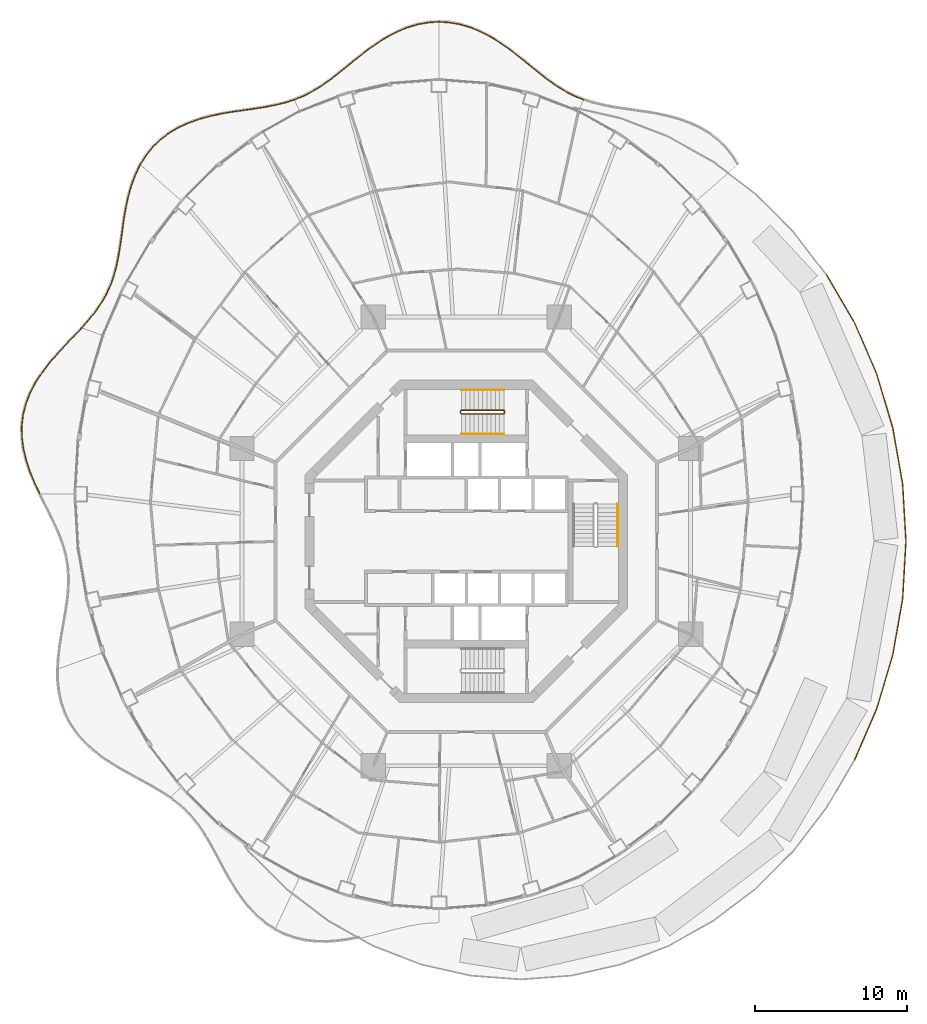
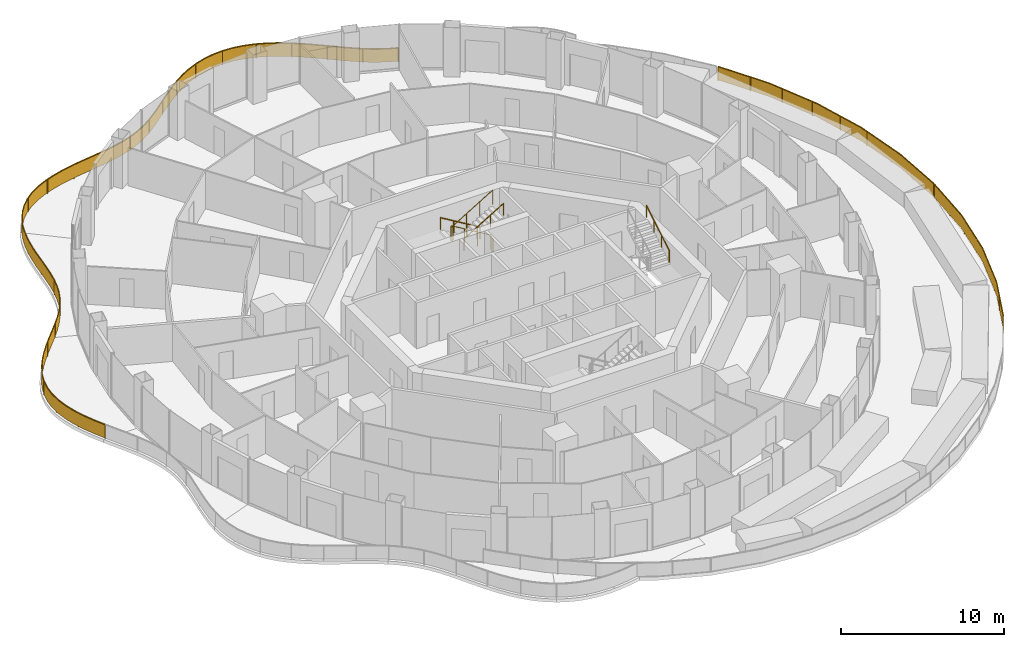
# One storey, part 17 of 18: 11 railings.
"""IFC4 building model written with IfcOpenShell, lengths in metres."""

from ifc_helpers import new_model, si_unit, direction, frame, origin, origin_2d, place, context, subcontext, project, spatial, polyline, rectangle, circle, outline, extrude, material, type_object, element, save


model = new_model("IFC4")

# Units and contexts
model_context = context("Model", 3, precision=1e-05, world=origin(), true_north=direction((0.0, 1.0)))
body_context = subcontext(model_context, "Body", "Model", "MODEL_VIEW")
ifc_project = project(units=[si_unit("LENGTHUNIT", "METRE"), si_unit("AREAUNIT", "SQUARE_METRE"), si_unit("VOLUMEUNIT", "CUBIC_METRE"), si_unit("PLANEANGLEUNIT", "RADIAN"), si_unit("MASSUNIT", "GRAM", prefix="KILO")], contexts=[model_context])

# Site, building, storey
site_placement = place(None, origin())
site = spatial("IfcSite", under=ifc_project, at=site_placement, CompositionType="ELEMENT")
building_placement = place(site_placement, origin())
building = spatial("IfcBuilding", under=site, at=building_placement, Name="Nagisa Residences", CompositionType="ELEMENT")
storey_placement = place(building_placement, frame((0.0, 0.0, 212.199951171875)))
storey = spatial("IfcBuildingStorey", under=building, at=storey_placement, Name="L53", CompositionType="ELEMENT", Elevation=212.199951171875)

# Railings
ifc_material_1 = material(Name="Stainless steel 316", Category="steel")
railing_type_1 = type_object("IfcRailingType", Name="BALCONY GUARD 1100", PredefinedType="BALUSTRADE", material=ifc_material_1)
railing_1_placement = place(storey_placement, frame((7.7333984375, 29.106201171875, 0.0)))
element("IfcRailing", 1, at=railing_1_placement, inside=storey, type_object=railing_type_1, Name="guard:L53:bal03-0", PredefinedType="BALUSTRADE", context=body_context, shape_type="SweptSolid", body=[
    extrude(outline(polyline([(-0.5751953125, 0.20703125), (-0.009521484375, -0.023193359375), (0.009521484375, 0.023193359375), (-0.5546875, 0.25244140625), (-1.10693359375, 0.529052734375), (-1.645751953125, 0.849609375), (-2.1767578125, 1.21240234375), (-2.70654296875, 1.611083984375), (-3.224853515625, 2.032958984375), (-3.77099609375, 2.477783203125), (-4.3330078125, 2.92822265625), (-4.9150390625, 3.370849609375), (-5.51904296875, 3.791748046875), (-6.13037109375, 4.174072265625), (-6.77978515625, 4.510009765625), (-7.450439453125, 4.78515625), (-8.1376953125, 4.989013671875), (-8.8369140625, 5.114501953125), (-9.531982421875, 5.156494140625), (-9.534912109375, 5.106689453125), (-8.8427734375, 5.064697265625), (-8.1494140625, 4.940185546875), (-7.467041015625, 4.73779296875), (-6.80078125, 4.464599609375), (-6.1552734375, 4.130615234375), (-5.546875, 3.749755859375), (-4.9443359375, 3.330322265625), (-4.36376953125, 2.888671875), (-3.80224609375, 2.438720703125), (-3.256591796875, 1.994384765625), (-2.7373046875, 1.571533203125), (-2.2060546875, 1.171875), (-1.672607421875, 0.8076171875), (-1.130859375, 0.485107421875), (-0.5751953125, 0.20703125)])), frame((0.0, 0.0, 1.050048828125)), (0.0, 0.0, 1.0), 0.050048828125),
    extrude(outline(polyline([(-0.56787109375, 0.223388671875), (-0.002685546875, -0.006591796875), (0.002685546875, 0.006591796875), (-0.56201171875, 0.236083984375), (-1.115478515625, 0.51318359375), (-1.655517578125, 0.83447265625), (-2.187255859375, 1.19775390625), (-2.717529296875, 1.596923828125), (-3.236328125, 2.01904296875), (-3.7822265625, 2.463623046875), (-4.343994140625, 2.9140625), (-4.925537109375, 3.356201171875), (-5.529052734375, 3.776611328125), (-6.139404296875, 4.158447265625), (-6.787353515625, 4.49365234375), (-7.456298828125, 4.76806640625), (-8.141845703125, 4.971435546875), (-8.839111328125, 5.0966796875), (-9.532958984375, 5.138671875), (-9.533935546875, 5.12451171875), (-8.840576171875, 5.08251953125), (-8.145263671875, 4.957763671875), (-7.461181640625, 4.7548828125), (-6.793212890625, 4.48095703125), (-6.146240234375, 4.146240234375), (-5.536865234375, 3.764892578125), (-4.933837890625, 3.344970703125), (-4.352783203125, 2.90283203125), (-3.791015625, 2.452880859375), (-3.2451171875, 2.00830078125), (-2.726318359375, 1.585693359375), (-2.195556640625, 1.1865234375), (-1.662841796875, 0.82275390625), (-1.122314453125, 0.5009765625), (-0.56787109375, 0.223388671875)])), frame((0.0, 0.0, 0.06005859375)), (0.0, 0.0, 1.0), 0.989990234375),
    extrude(rectangle(XDim=0.0400390625, YDim=0.0400390625, at=origin_2d()), origin(), (0.0, 0.0, 1.0), 1.050048828125),
    extrude(rectangle(XDim=0.0400390625, YDim=0.0400390625, at=origin_2d()), frame((-1.943603515625, 1.02294921875, 0.0)), (0.0, 0.0, 1.0), 1.050048828125),
    extrude(rectangle(XDim=0.0400390625, YDim=0.0400390625, at=origin_2d()), frame((-3.682373046875, 2.373291015625, 0.0)), (0.0, 0.0, 1.0), 1.050048828125),
    extrude(rectangle(XDim=0.0400390625, YDim=0.0400390625, at=origin_2d()), frame((-5.4365234375, 3.70361328125, 0.0)), (0.0, 0.0, 1.0), 1.050048828125),
    extrude(rectangle(XDim=0.0400390625, YDim=0.0400390625, at=origin_2d()), frame((-7.37939453125, 4.728759765625, 0.0)), (0.0, 0.0, 1.0), 1.050048828125),
    extrude(rectangle(XDim=0.0400390625, YDim=0.0400390625, at=origin_2d()), frame((-9.533447265625, 5.131591796875, 0.0)), (0.0, 0.0, 1.0), 1.050048828125),
])
railing_2_placement = place(storey_placement, frame((-1.800048828125, 34.23779296875, 0.0)))
element("IfcRailing", 2, at=railing_2_placement, inside=storey, type_object=railing_type_1, Name="guard:L53:bal04-0", PredefinedType="BALUSTRADE", context=body_context, shape_type="SweptSolid", body=[
    extrude(outline(polyline([(-0.6904296875, -0.06689453125), (0.00146484375, -0.02490234375), (-0.00146484375, 0.02490234375), (-0.6962890625, -0.01708984375), (-1.395751953125, -0.142578125), (-2.0830078125, -0.346435546875), (-2.753662109375, -0.62158203125), (-3.403076171875, -0.95751953125), (-4.014404296875, -1.33984375), (-4.618408203125, -1.7607421875), (-5.200439453125, -2.203369140625), (-5.762451171875, -2.65380859375), (-6.30859375, -3.0986328125), (-6.82666015625, -3.5205078125), (-7.356689453125, -3.919189453125), (-7.8876953125, -4.281982421875), (-8.42626953125, -4.6025390625), (-8.978759765625, -4.879150390625), (-9.54296875, -5.1083984375), (-9.52392578125, -5.15478515625), (-8.958251953125, -4.924560546875), (-8.40234375, -4.646484375), (-7.86083984375, -4.323974609375), (-7.327392578125, -3.959716796875), (-6.7958984375, -3.56005859375), (-6.27685546875, -3.13720703125), (-5.731201171875, -2.69287109375), (-5.169677734375, -2.242919921875), (-4.589111328125, -1.80126953125), (-3.986572265625, -1.3818359375), (-3.378173828125, -1.0009765625), (-2.732666015625, -0.6669921875), (-2.06640625, -0.393798828125), (-1.384033203125, -0.19140625), (-0.6904296875, -0.06689453125)])), frame((0.0, 0.0, 1.050048828125)), (0.0, 0.0, 1.0), 0.050048828125),
    extrude(outline(polyline([(-0.692626953125, -0.049072265625), (0.00048828125, -0.007080078125), (-0.00048828125, 0.007080078125), (-0.694091796875, -0.034912109375), (-1.3916015625, -0.16015625), (-2.0771484375, -0.363525390625), (-2.74609375, -0.637939453125), (-3.39404296875, -0.97314453125), (-4.00439453125, -1.35498046875), (-4.60791015625, -1.775390625), (-5.189453125, -2.217529296875), (-5.751220703125, -2.66796875), (-6.297119140625, -3.112548828125), (-6.815673828125, -3.53466796875), (-7.34619140625, -3.933837890625), (-7.8779296875, -4.297119140625), (-8.417724609375, -4.618408203125), (-8.971435546875, -4.8955078125), (-9.5361328125, -5.125), (-9.53076171875, -5.13818359375), (-8.965576171875, -4.908203125), (-8.410888671875, -4.630615234375), (-7.87060546875, -4.308837890625), (-7.337890625, -3.945068359375), (-6.806884765625, -3.5458984375), (-6.288330078125, -3.123291015625), (-5.742431640625, -2.6787109375), (-5.1806640625, -2.228759765625), (-4.599609375, -1.78662109375), (-3.99658203125, -1.36669921875), (-3.38720703125, -0.9853515625), (-2.740234375, -0.650634765625), (-2.072265625, -0.376708984375), (-1.38818359375, -0.173828125), (-0.692626953125, -0.049072265625)])), frame((0.0, 0.0, 0.06005859375)), (0.0, 0.0, 1.0), 0.989990234375),
    extrude(rectangle(XDim=0.0400390625, YDim=0.0400390625, at=origin_2d()), origin(), (0.0, 0.0, 1.0), 1.050048828125),
    extrude(rectangle(XDim=0.0400390625, YDim=0.0400390625, at=origin_2d()), frame((-2.154296875, -0.40283203125, 0.0)), (0.0, 0.0, 1.0), 1.050048828125),
    extrude(rectangle(XDim=0.0400390625, YDim=0.0400390625, at=origin_2d()), frame((-4.096923828125, -1.427978515625, 0.0)), (0.0, 0.0, 1.0), 1.050048828125),
    extrude(rectangle(XDim=0.0400390625, YDim=0.0400390625, at=origin_2d()), frame((-5.85107421875, -2.75830078125, 0.0)), (0.0, 0.0, 1.0), 1.050048828125),
    extrude(rectangle(XDim=0.0400390625, YDim=0.0400390625, at=origin_2d()), frame((-7.58984375, -4.108642578125, 0.0)), (0.0, 0.0, 1.0), 1.050048828125),
    extrude(rectangle(XDim=0.0400390625, YDim=0.0400390625, at=origin_2d()), frame((-9.533447265625, -5.131591796875, 0.0)), (0.0, 0.0, 1.0), 1.050048828125),
])
railing_3_placement = place(storey_placement, frame((-11.33349609375, 29.106201171875, 0.0)))
element("IfcRailing", 3, at=railing_3_placement, inside=storey, type_object=railing_type_1, Name="guard:L53:bal05-0", PredefinedType="BALUSTRADE", context=body_context, shape_type="SweptSolid", body=[
    extrude(outline(polyline([(-0.603759765625, -0.21826171875), (0.007568359375, -0.02392578125), (-0.007568359375, 0.02392578125), (-0.617431640625, -0.169921875), (-1.26123046875, -0.3291015625), (-1.932861328125, -0.458251953125), (-2.6298828125, -0.568603515625), (-3.348876953125, -0.671875), (-4.0693359375, -0.771484375), (-4.811279296875, -0.898681640625), (-5.551025390625, -1.056640625), (-6.278076171875, -1.256591796875), (-6.981201171875, -1.507080078125), (-7.63818359375, -1.8046875), (-8.26318359375, -2.175048828125), (-8.83544921875, -2.609375), (-9.34814453125, -3.106201171875), (-9.796875, -3.662109375), (-10.174072265625, -4.2646484375), (-10.131591796875, -4.291015625), (-9.755859375, -3.69140625), (-9.31103515625, -3.139892578125), (-8.802734375, -2.6474609375), (-8.2353515625, -2.216552734375), (-7.615234375, -1.84912109375), (-6.962646484375, -1.553466796875), (-6.262939453125, -1.304443359375), (-5.539306640625, -1.10546875), (-4.802001953125, -0.947998046875), (-4.0615234375, -0.82080078125), (-3.342041015625, -0.72119140625), (-2.62255859375, -0.617919921875), (-1.924072265625, -0.507568359375), (-1.25048828125, -0.3779296875), (-0.603759765625, -0.21826171875)])), frame((0.0, 0.0, 1.050048828125)), (0.0, 0.0, 1.0), 0.050048828125),
    extrude(outline(polyline([(-0.608642578125, -0.200927734375), (0.002197265625, -0.006591796875), (-0.002197265625, 0.006591796875), (-0.612548828125, -0.187255859375), (-1.25732421875, -0.3466796875), (-1.9296875, -0.47607421875), (-2.627197265625, -0.58642578125), (-3.346435546875, -0.689697265625), (-4.06640625, -0.789306640625), (-4.807861328125, -0.91650390625), (-5.546875, -1.07421875), (-6.272705078125, -1.27392578125), (-6.974609375, -1.523681640625), (-7.6298828125, -1.82080078125), (-8.253173828125, -2.18994140625), (-8.82373046875, -2.623046875), (-9.334716796875, -3.118408203125), (-9.781982421875, -3.672607421875), (-10.15869140625, -4.274169921875), (-10.14697265625, -4.281494140625), (-9.770751953125, -3.680908203125), (-9.324462890625, -3.127685546875), (-8.814453125, -2.6337890625), (-8.245361328125, -2.20166015625), (-7.62353515625, -1.8330078125), (-6.96923828125, -1.536865234375), (-6.268310546875, -1.287109375), (-5.54345703125, -1.087890625), (-4.805419921875, -0.93017578125), (-4.064453125, -0.802978515625), (-3.344482421875, -0.703369140625), (-2.625244140625, -0.60009765625), (-1.92724609375, -0.48974609375), (-1.25439453125, -0.3603515625), (-0.608642578125, -0.200927734375)])), frame((0.0, 0.0, 0.06005859375)), (0.0, 0.0, 1.0), 0.989990234375),
    extrude(rectangle(XDim=0.0400390625, YDim=0.0400390625, at=origin_2d()), origin(), (0.0, 0.0, 1.0), 1.050048828125),
    extrude(rectangle(XDim=0.0400390625, YDim=0.0400390625, at=origin_2d()), frame((-2.22314453125, -0.529541015625, 0.0)), (0.0, 0.0, 1.0), 1.050048828125),
    extrude(rectangle(XDim=0.0400390625, YDim=0.0400390625, at=origin_2d()), frame((-4.486572265625, -0.868408203125, 0.0)), (0.0, 0.0, 1.0), 1.050048828125),
    extrude(rectangle(XDim=0.0400390625, YDim=0.0400390625, at=origin_2d()), frame((-6.70068359375, -1.43359375, 0.0)), (0.0, 0.0, 1.0), 1.050048828125),
    extrude(rectangle(XDim=0.0400390625, YDim=0.0400390625, at=origin_2d()), frame((-8.69384765625, -2.533447265625, 0.0)), (0.0, 0.0, 1.0), 1.050048828125),
    extrude(rectangle(XDim=0.0400390625, YDim=0.0400390625, at=origin_2d()), frame((-10.15283203125, -4.27783203125, 0.0)), (0.0, 0.0, 1.0), 1.050048828125),
])
railing_4_placement = place(storey_placement, frame((-21.486328125, 24.828369140625, 0.0)))
element("IfcRailing", 4, at=railing_4_placement, inside=storey, type_object=railing_type_1, Name="guard:L53:bal06-0", PredefinedType="BALUSTRADE", context=body_context, shape_type="SweptSolid", body=[
    extrude(outline(polyline([(-0.30419921875, -0.68896484375), (0.0224609375, -0.0107421875), (-0.0224609375, 0.0107421875), (-0.35009765625, -0.66943359375), (-0.61767578125, -1.39599609375), (-0.8271484375, -2.150146484375), (-0.989501953125, -2.91943359375), (-1.117431640625, -3.692626953125), (-1.218017578125, -4.44580078125), (-1.322021484375, -5.1953125), (-1.43701171875, -5.921142578125), (-1.57666015625, -6.618408203125), (-1.7529296875, -7.2841796875), (-1.968994140625, -7.90576171875), (-2.244384765625, -8.510986328125), (-2.57568359375, -9.091064453125), (-2.9619140625, -9.652099609375), (-3.3984375, -10.20068359375), (-3.875244140625, -10.7373046875), (-3.837646484375, -10.7705078125), (-3.3603515625, -10.23291015625), (-2.921875, -9.681884765625), (-2.533203125, -9.117919921875), (-2.199951171875, -8.533935546875), (-1.922607421875, -7.92431640625), (-1.705078125, -7.298828125), (-1.52783203125, -6.629638671875), (-1.3876953125, -5.929931640625), (-1.272705078125, -5.20263671875), (-1.168212890625, -4.45263671875), (-1.068115234375, -3.699951171875), (-0.940185546875, -2.9287109375), (-0.7783203125, -2.161865234375), (-0.56982421875, -1.4111328125), (-0.30419921875, -0.68896484375)])), frame((0.0, 0.0, 1.050048828125)), (0.0, 0.0, 1.0), 0.050048828125),
    extrude(outline(polyline([(-0.32080078125, -0.681884765625), (0.00634765625, -0.0029296875), (-0.00634765625, 0.0029296875), (-0.33349609375, -0.676513671875), (-0.600341796875, -1.4013671875), (-0.8095703125, -2.154296875), (-0.9716796875, -2.9228515625), (-1.099609375, -3.6953125), (-1.199951171875, -4.4482421875), (-1.30419921875, -5.197998046875), (-1.419189453125, -5.92431640625), (-1.55908203125, -6.62255859375), (-1.735595703125, -7.28955078125), (-1.952392578125, -7.912353515625), (-2.228515625, -8.519287109375), (-2.560302734375, -9.100830078125), (-2.947509765625, -9.662841796875), (-3.384765625, -10.21240234375), (-3.861572265625, -10.749267578125), (-3.851318359375, -10.758544921875), (-3.3740234375, -10.22119140625), (-2.936279296875, -9.671142578125), (-2.548583984375, -9.108154296875), (-2.2158203125, -8.525634765625), (-1.939208984375, -7.917724609375), (-1.722412109375, -7.29345703125), (-1.54541015625, -6.62548828125), (-1.405517578125, -5.9267578125), (-1.29052734375, -5.199951171875), (-1.186279296875, -4.4501953125), (-1.0859375, -3.697265625), (-0.9580078125, -2.92529296875), (-0.7958984375, -2.15771484375), (-0.587158203125, -1.40576171875), (-0.32080078125, -0.681884765625)])), frame((0.0, 0.0, 0.06005859375)), (0.0, 0.0, 1.0), 0.989990234375),
    extrude(rectangle(XDim=0.0400390625, YDim=0.0400390625, at=origin_2d()), origin(), (0.0, 0.0, 1.0), 1.050048828125),
    extrude(rectangle(XDim=0.0400390625, YDim=0.0400390625, at=origin_2d()), frame((-0.806884765625, -2.175048828125, 0.0)), (0.0, 0.0, 1.0), 1.050048828125),
    extrude(rectangle(XDim=0.0400390625, YDim=0.0400390625, at=origin_2d()), frame((-1.195556640625, -4.467529296875, 0.0)), (0.0, 0.0, 1.0), 1.050048828125),
    extrude(rectangle(XDim=0.0400390625, YDim=0.0400390625, at=origin_2d()), frame((-1.588134765625, -6.759033203125, 0.0)), (0.0, 0.0, 1.0), 1.050048828125),
    extrude(rectangle(XDim=0.0400390625, YDim=0.0400390625, at=origin_2d()), frame((-2.4443359375, -8.91162109375, 0.0)), (0.0, 0.0, 1.0), 1.050048828125),
    extrude(rectangle(XDim=0.0400390625, YDim=0.0400390625, at=origin_2d()), frame((-3.8564453125, -10.75390625, 0.0)), (0.0, 0.0, 1.0), 1.050048828125),
])
railing_5_placement = place(storey_placement, frame((-25.3427734375, 14.074462890625, 0.0)))
element("IfcRailing", 5, at=railing_5_placement, inside=storey, type_object=railing_type_1, Name="guard:L53:bal07-0", PredefinedType="BALUSTRADE", context=body_context, shape_type="SweptSolid", body=[
    extrude(outline(polyline([(-0.50634765625, -0.573486328125), (0.018310546875, -0.01708984375), (-0.018310546875, 0.01708984375), (-0.54248046875, -0.539306640625), (-1.086181640625, -1.11181640625), (-1.62939453125, -1.700927734375), (-2.1533203125, -2.3115234375), (-2.639404296875, -2.94775390625), (-3.066650390625, -3.5966796875), (-3.426513671875, -4.286376953125), (-3.702392578125, -5.0), (-3.885986328125, -5.734619140625), (-3.972900390625, -6.484375), (-3.96142578125, -7.22998046875), (-3.860595703125, -7.992919921875), (-3.67724609375, -8.753173828125), (-3.4248046875, -9.50634765625), (-3.11962890625, -10.24755859375), (-2.780029296875, -10.967529296875), (-2.734619140625, -10.946044921875), (-3.07373046875, -10.2275390625), (-3.3779296875, -9.48876953125), (-3.62890625, -8.739501953125), (-3.811279296875, -7.983642578125), (-3.91162109375, -7.22607421875), (-3.922607421875, -6.48681640625), (-3.836669921875, -5.743408203125), (-3.654541015625, -5.01513671875), (-3.380615234375, -4.306884765625), (-3.023681640625, -3.6220703125), (-2.598388671875, -2.9765625), (-2.1142578125, -2.34326171875), (-1.591796875, -1.734130859375), (-1.049560546875, -1.14599609375), (-0.50634765625, -0.573486328125)])), frame((0.0, 0.0, 1.050048828125)), (0.0, 0.0, 1.0), 0.050048828125),
    extrude(outline(polyline([(-0.519287109375, -0.561279296875), (0.005126953125, -0.0048828125), (-0.005126953125, 0.0048828125), (-0.529541015625, -0.551513671875), (-1.072998046875, -1.1240234375), (-1.61572265625, -1.712890625), (-2.13916015625, -2.322998046875), (-2.62451171875, -2.9580078125), (-3.05126953125, -3.605712890625), (-3.409912109375, -4.293701171875), (-3.68505859375, -5.00537109375), (-3.8681640625, -5.73779296875), (-3.954833984375, -6.4853515625), (-3.943603515625, -7.228515625), (-3.8427734375, -7.989501953125), (-3.659912109375, -8.748291015625), (-3.407958984375, -9.5), (-3.10302734375, -10.240478515625), (-2.763671875, -10.959716796875), (-2.7509765625, -10.953857421875), (-3.09033203125, -10.234619140625), (-3.394775390625, -9.4951171875), (-3.646240234375, -8.744384765625), (-3.8291015625, -7.987060546875), (-3.929443359375, -7.2275390625), (-3.940673828125, -6.48583984375), (-3.8544921875, -5.740234375), (-3.671875, -5.009765625), (-3.397216796875, -4.299560546875), (-3.0390625, -3.613037109375), (-2.61328125, -2.96630859375), (-2.12841796875, -2.331787109375), (-1.60546875, -1.72216796875), (-1.062744140625, -1.1337890625), (-0.519287109375, -0.561279296875)])), frame((0.0, 0.0, 0.06005859375)), (0.0, 0.0, 1.0), 0.989990234375),
    extrude(rectangle(XDim=0.0400390625, YDim=0.0400390625, at=origin_2d()), origin(), (0.0, 0.0, 1.0), 1.050048828125),
    extrude(rectangle(XDim=0.0400390625, YDim=0.0400390625, at=origin_2d()), frame((-1.42138671875, -1.51220703125, 0.0)), (0.0, 0.0, 1.0), 1.050048828125),
    extrude(rectangle(XDim=0.0400390625, YDim=0.0400390625, at=origin_2d()), frame((-2.725341796875, -3.123779296875, 0.0)), (0.0, 0.0, 1.0), 1.050048828125),
    extrude(rectangle(XDim=0.0400390625, YDim=0.0400390625, at=origin_2d()), frame((-3.662841796875, -4.967041015625, 0.0)), (0.0, 0.0, 1.0), 1.050048828125),
    extrude(rectangle(XDim=0.0400390625, YDim=0.0400390625, at=origin_2d()), frame((-3.939697265625, -7.011962890625, 0.0)), (0.0, 0.0, 1.0), 1.050048828125),
    extrude(rectangle(XDim=0.0400390625, YDim=0.0400390625, at=origin_2d()), frame((-3.5537109375, -9.042724609375, 0.0)), (0.0, 0.0, 1.0), 1.050048828125),
    extrude(rectangle(XDim=0.0400390625, YDim=0.0400390625, at=origin_2d()), frame((-2.75732421875, -10.956787109375, 0.0)), (0.0, 0.0, 1.0), 1.050048828125),
])
ifc_material_2 = material(Name="Stainless steel 316", Category="steel")
railing_type_2 = type_object("IfcRailingType", Name="ROOF GUARD 1100", PredefinedType="GUARDRAIL", material=ifc_material_2)
railing_6_placement = place(storey_placement, frame((28.97265625, 0.0400390625, 0.0)))
element("IfcRailing", 6, at=railing_6_placement, inside=storey, type_object=railing_type_2, Name="guard:L53:garden00", PredefinedType="GUARDRAIL", context=body_context, shape_type="SweptSolid", body=[
    extrude(outline(polyline([(-0.23974609375, 3.72607421875), (-0.02490234375, -0.00146484375), (0.02490234375, 0.00146484375), (-0.18994140625, 3.73193359375), (-0.837890625, 7.439208984375), (-1.90576171875, 11.0185546875), (-3.374755859375, 14.408935546875), (-5.199462890625, 17.51611328125), (-5.242431640625, 17.49072265625), (-3.419677734375, 14.385986328125), (-1.95263671875, 11.00146484375), (-0.88671875, 7.427490234375), (-0.23974609375, 3.72607421875)])), frame((0.0, 0.0, 1.050048828125)), (0.0, 0.0, 1.0), 0.050048828125),
    extrude(outline(polyline([(-0.221923828125, 3.728271484375), (-0.007080078125, -0.00048828125), (0.007080078125, 0.00048828125), (-0.207763671875, 3.729736328125), (-0.85546875, 7.43505859375), (-1.922607421875, 11.012451171875), (-3.390869140625, 14.400634765625), (-5.21484375, 17.507080078125), (-5.22705078125, 17.499755859375), (-3.403564453125, 14.394287109375), (-1.935791015625, 11.007568359375), (-0.869140625, 7.431640625), (-0.221923828125, 3.728271484375)])), frame((0.0, 0.0, 0.06005859375)), (0.0, 0.0, 1.0), 0.989990234375),
    extrude(rectangle(XDim=0.0400390625, YDim=0.0400390625, at=origin_2d()), origin(), (0.0, 0.0, 1.0), 1.050048828125),
    extrude(rectangle(XDim=0.0400390625, YDim=0.0400390625, at=origin_2d()), frame((-0.133056640625, 2.311279296875, 0.0)), (0.0, 0.0, 1.0), 1.050048828125),
    extrude(rectangle(XDim=0.0400390625, YDim=0.0400390625, at=origin_2d()), frame((-0.368896484375, 4.61083984375, 0.0)), (0.0, 0.0, 1.0), 1.050048828125),
    extrude(rectangle(XDim=0.0400390625, YDim=0.0400390625, at=origin_2d()), frame((-0.767578125, 6.8916015625, 0.0)), (0.0, 0.0, 1.0), 1.050048828125),
    extrude(rectangle(XDim=0.0400390625, YDim=0.0400390625, at=origin_2d()), frame((-1.366943359375, 9.125, 0.0)), (0.0, 0.0, 1.0), 1.050048828125),
    extrude(rectangle(XDim=0.0400390625, YDim=0.0400390625, at=origin_2d()), frame((-2.067626953125, 11.329345703125, 0.0)), (0.0, 0.0, 1.0), 1.050048828125),
    extrude(rectangle(XDim=0.0400390625, YDim=0.0400390625, at=origin_2d()), frame((-2.98828125, 13.45361328125, 0.0)), (0.0, 0.0, 1.0), 1.050048828125),
    extrude(rectangle(XDim=0.0400390625, YDim=0.0400390625, at=origin_2d()), frame((-4.048583984375, 15.5068359375, 0.0)), (0.0, 0.0, 1.0), 1.050048828125),
    extrude(rectangle(XDim=0.0400390625, YDim=0.0400390625, at=origin_2d()), frame((-5.220947265625, 17.50341796875, 0.0)), (0.0, 0.0, 1.0), 1.050048828125),
])
railing_7_placement = place(storey_placement, frame((25.59130859375, -14.40087890625, 0.0)))
element("IfcRailing", 7, at=railing_7_placement, inside=storey, type_object=railing_type_2, Name="guard:L53:garden06", PredefinedType="GUARDRAIL", context=body_context, shape_type="SweptSolid", body=[
    extrude(outline(polyline([(1.4287109375, 3.359375), (-0.02294921875, 0.010009765625), (0.02294921875, -0.010009765625), (1.4755859375, 3.34228515625), (2.54345703125, 6.921630859375), (3.19140625, 10.62890625), (3.40625, 14.359375), (3.3564453125, 14.3623046875), (3.1416015625, 10.634765625), (2.49462890625, 6.933349609375), (1.4287109375, 3.359375)])), frame((0.0, 0.0, 1.050048828125)), (0.0, 0.0, 1.0), 0.050048828125),
    extrude(outline(polyline([(1.445556640625, 3.353271484375), (-0.00634765625, 0.002685546875), (0.00634765625, -0.002685546875), (1.458740234375, 3.348388671875), (2.52587890625, 6.92578125), (3.173583984375, 10.631103515625), (3.388427734375, 14.3603515625), (3.374267578125, 14.361328125), (3.159423828125, 10.632568359375), (2.51220703125, 6.92919921875), (1.445556640625, 3.353271484375)])), frame((0.0, 0.0, 0.06005859375)), (0.0, 0.0, 1.0), 0.989990234375),
    extrude(rectangle(XDim=0.0400390625, YDim=0.0400390625, at=origin_2d()), origin(), (0.0, 0.0, 1.0), 1.050048828125),
    extrude(rectangle(XDim=0.0400390625, YDim=0.0400390625, at=origin_2d()), frame((0.84521484375, 1.950439453125, 0.0)), (0.0, 0.0, 1.0), 1.050048828125),
    extrude(rectangle(XDim=0.0400390625, YDim=0.0400390625, at=origin_2d()), frame((1.62353515625, 3.92529296875, 0.0)), (0.0, 0.0, 1.0), 1.050048828125),
    extrude(rectangle(XDim=0.0400390625, YDim=0.0400390625, at=origin_2d()), frame((2.231201171875, 5.96240234375, 0.0)), (0.0, 0.0, 1.0), 1.050048828125),
    extrude(rectangle(XDim=0.0400390625, YDim=0.0400390625, at=origin_2d()), frame((2.711669921875, 8.029296875, 0.0)), (0.0, 0.0, 1.0), 1.050048828125),
    extrude(rectangle(XDim=0.0400390625, YDim=0.0400390625, at=origin_2d()), frame((3.07763671875, 10.123291015625, 0.0)), (0.0, 0.0, 1.0), 1.050048828125),
    extrude(rectangle(XDim=0.0400390625, YDim=0.0400390625, at=origin_2d()), frame((3.259033203125, 12.238525390625, 0.0)), (0.0, 0.0, 1.0), 1.050048828125),
    extrude(rectangle(XDim=0.0400390625, YDim=0.0400390625, at=origin_2d()), frame((3.38134765625, 14.36083984375, 0.0)), (0.0, 0.0, 1.0), 1.050048828125),
])
ifc_material_3 = material(Name="Stainless steel", Category="steel")
railing_type_3 = type_object("IfcRailingType", Name="Stair guard 1100", PredefinedType="GUARDRAIL", material=ifc_material_3)
railing_8_placement = place(storey_placement, frame((2.52490234375, 8.44970703125, 0.0)))
element("IfcRailing", 8, at=railing_8_placement, inside=storey, type_object=railing_type_3, Name="L53 ST-N stair guard 1", PredefinedType="GUARDRAIL", context=body_context, shape_type="SweptSolid", body=[
    extrude(circle(Radius=0.02392578125, at=origin_2d()), frame((0.0, 0.0, 1.076171875), z_axis=(0.0, 1.0, 0.0), x_axis=(-1.0, 0.0, 0.0)), (0.0, 0.0, 1.0), 0.14990234375),
    extrude(circle(Radius=0.02392578125, at=origin_2d()), frame((0.0, 0.14990234375, 1.076171875), z_axis=(-0.273006030465, 0.27434429532, 0.922064485248), x_axis=(-0.708833529934, -0.705375805398, 0.0)), (0.0, 0.0, 1.0), 0.182373046875),
    extrude(circle(Radius=0.02392578125, at=origin_2d()), frame((-0.0498046875, 0.199951171875, 1.244140625), z_axis=(-0.857242210791, 0.0, 0.514913383045), x_axis=(0.0, -1.0, 0.0)), (0.0, 0.0, 1.0), 3.266357421875),
    extrude(circle(Radius=0.02392578125, at=origin_2d()), frame((-2.849853515625, 0.199951171875, 2.92626953125), z_axis=(-0.707106781187, -0.707106781187, 0.0), x_axis=(0.707106781187, -0.707106781187, 0.0)), (0.0, 0.0, 1.0), 0.07080078125),
    extrude(circle(Radius=0.02392578125, at=origin_2d()), frame((-2.89990234375, 0.14990234375, 2.92626953125), z_axis=(0.0, -1.0, 0.0), x_axis=(1.0, 0.0, 0.0)), (0.0, 0.0, 1.0), 0.14990234375),
    extrude(circle(Radius=0.02392578125, at=origin_2d()), frame((-2.89990234375, 0.0, 2.92626953125), z_axis=(0.274243871929, -0.274243871929, 0.92172696468), x_axis=(0.707106781187, 0.707106781187, 0.0)), (0.0, 0.0, 1.0), 0.1826171875),
    extrude(circle(Radius=0.02392578125, at=origin_2d()), frame((-2.849853515625, -0.050048828125, 3.09423828125), z_axis=(0.857275202839, 0.0, 0.514858452973), x_axis=(0.0, 1.0, 0.0)), (0.0, 0.0, 1.0), 3.26611328125),
    extrude(circle(Radius=0.02099609375, at=origin_2d()), origin(), (0.0, 0.0, 1.0), 1.052001953125),
    extrude(circle(Radius=0.02099609375, at=origin_2d()), frame((0.0, 0.14990234375, 0.0)), (0.0, 0.0, 1.0), 1.052001953125),
    extrude(circle(Radius=0.02099609375, at=origin_2d()), frame((-0.0498046875, 0.199951171875, 0.168212890625)), (0.0, 0.0, 1.0), 1.052001953125),
    extrude(circle(Radius=0.02099609375, at=origin_2d()), frame((-0.983154296875, 0.199951171875, 0.728759765625)), (0.0, 0.0, 1.0), 1.052001953125),
    extrude(circle(Radius=0.02099609375, at=origin_2d()), frame((-1.91650390625, 0.199951171875, 1.28955078125)), (0.0, 0.0, 1.0), 1.052001953125),
    extrude(circle(Radius=0.02099609375, at=origin_2d()), frame((-2.849853515625, 0.199951171875, 1.85009765625)), (0.0, 0.0, 1.0), 1.052001953125),
    extrude(circle(Radius=0.02099609375, at=origin_2d()), frame((-2.89990234375, 0.14990234375, 1.85009765625)), (0.0, 0.0, 1.0), 1.052001953125),
    extrude(circle(Radius=0.02099609375, at=origin_2d()), frame((-2.89990234375, 0.0, 1.85009765625)), (0.0, 0.0, 1.0), 1.052001953125),
    extrude(circle(Radius=0.02099609375, at=origin_2d()), frame((-2.849853515625, -0.050048828125, 2.018310546875)), (0.0, 0.0, 1.0), 1.052001953125),
    extrude(circle(Radius=0.02099609375, at=origin_2d()), frame((-1.91650390625, -0.050048828125, 2.578857421875)), (0.0, 0.0, 1.0), 1.052001953125),
    extrude(circle(Radius=0.02099609375, at=origin_2d()), frame((-0.983154296875, -0.050048828125, 3.139404296875)), (0.0, 0.0, 1.0), 1.052001953125),
    extrude(circle(Radius=0.02099609375, at=origin_2d()), frame((-0.0498046875, -0.050048828125, 3.699951171875)), (0.0, 0.0, 1.0), 1.052001953125),
])
ifc_material_4 = material(Name="Stainless steel", Category="steel")
railing_type_4 = type_object("IfcRailingType", Name="Stair handrail 900", PredefinedType="HANDRAIL", material=ifc_material_4)
railing_9_placement = place(storey_placement, frame((9.974609375, -0.324951171875, 2.018310546875)))
element("IfcRailing", 9, at=railing_9_placement, inside=storey, type_object=railing_type_4, Name="L53 ST-E stair handrail 2", PredefinedType="HANDRAIL", context=body_context, shape_type="SweptSolid", body=[
    extrude(circle(Radius=0.02392578125, at=origin_2d()), frame((0.0, 0.0, 0.8759765625), z_axis=(0.0, 0.857275202839, 0.514858452973), x_axis=(-1.0, 0.0, 0.0)), (0.0, 0.0, 1.0), 3.26611328125),
    extrude(circle(Radius=0.02099609375, at=origin_2d()), origin(), (0.0, 0.0, 1.0), 0.851806640625),
    extrude(circle(Radius=0.02099609375, at=origin_2d()), frame((0.0, 0.933349609375, 0.560546875)), (0.0, 0.0, 1.0), 0.851806640625),
    extrude(circle(Radius=0.02099609375, at=origin_2d()), frame((0.0, 1.86669921875, 1.12109375)), (0.0, 0.0, 1.0), 0.851806640625),
    extrude(circle(Radius=0.02099609375, at=origin_2d()), frame((0.0, 2.800048828125, 1.681640625)), (0.0, 0.0, 1.0), 0.851806640625),
])
railing_10_placement = place(storey_placement, frame((2.47509765625, 9.974609375, 0.168212890625)))
element("IfcRailing", 10, at=railing_10_placement, inside=storey, type_object=railing_type_4, Name="L53 ST-N stair handrail 1", PredefinedType="HANDRAIL", context=body_context, shape_type="SweptSolid", body=[
    extrude(circle(Radius=0.02392578125, at=origin_2d()), frame((0.0, 0.0, 0.8759765625), z_axis=(-0.857242210791, 0.0, 0.514913383045), x_axis=(0.0, -1.0, 0.0)), (0.0, 0.0, 1.0), 3.266357421875),
    extrude(circle(Radius=0.02099609375, at=origin_2d()), origin(), (0.0, 0.0, 1.0), 0.851806640625),
    extrude(circle(Radius=0.02099609375, at=origin_2d()), frame((-0.933349609375, 0.0, 0.560546875)), (0.0, 0.0, 1.0), 0.851806640625),
    extrude(circle(Radius=0.02099609375, at=origin_2d()), frame((-1.86669921875, 0.0, 1.121337890625)), (0.0, 0.0, 1.0), 0.851806640625),
    extrude(circle(Radius=0.02099609375, at=origin_2d()), frame((-2.800048828125, 0.0, 1.681884765625)), (0.0, 0.0, 1.0), 0.851806640625),
])
railing_11_placement = place(storey_placement, frame((-0.324951171875, 7.07470703125, 2.018310546875)))
element("IfcRailing", 11, at=railing_11_placement, inside=storey, type_object=railing_type_4, Name="L53 ST-N stair handrail 2", PredefinedType="HANDRAIL", context=body_context, shape_type="SweptSolid", body=[
    extrude(circle(Radius=0.02392578125, at=origin_2d()), frame((0.0, 0.0, 0.8759765625), z_axis=(0.857275202839, 0.0, 0.514858452973), x_axis=(0.0, 1.0, 0.0)), (0.0, 0.0, 1.0), 3.26611328125),
    extrude(circle(Radius=0.02099609375, at=origin_2d()), origin(), (0.0, 0.0, 1.0), 0.851806640625),
    extrude(circle(Radius=0.02099609375, at=origin_2d()), frame((0.933349609375, 0.0, 0.560546875)), (0.0, 0.0, 1.0), 0.851806640625),
    extrude(circle(Radius=0.02099609375, at=origin_2d()), frame((1.86669921875, 0.0, 1.12109375)), (0.0, 0.0, 1.0), 0.851806640625),
    extrude(circle(Radius=0.02099609375, at=origin_2d()), frame((2.800048828125, 0.0, 1.681640625)), (0.0, 0.0, 1.0), 0.851806640625),
])

save(model, "model.ifc")
